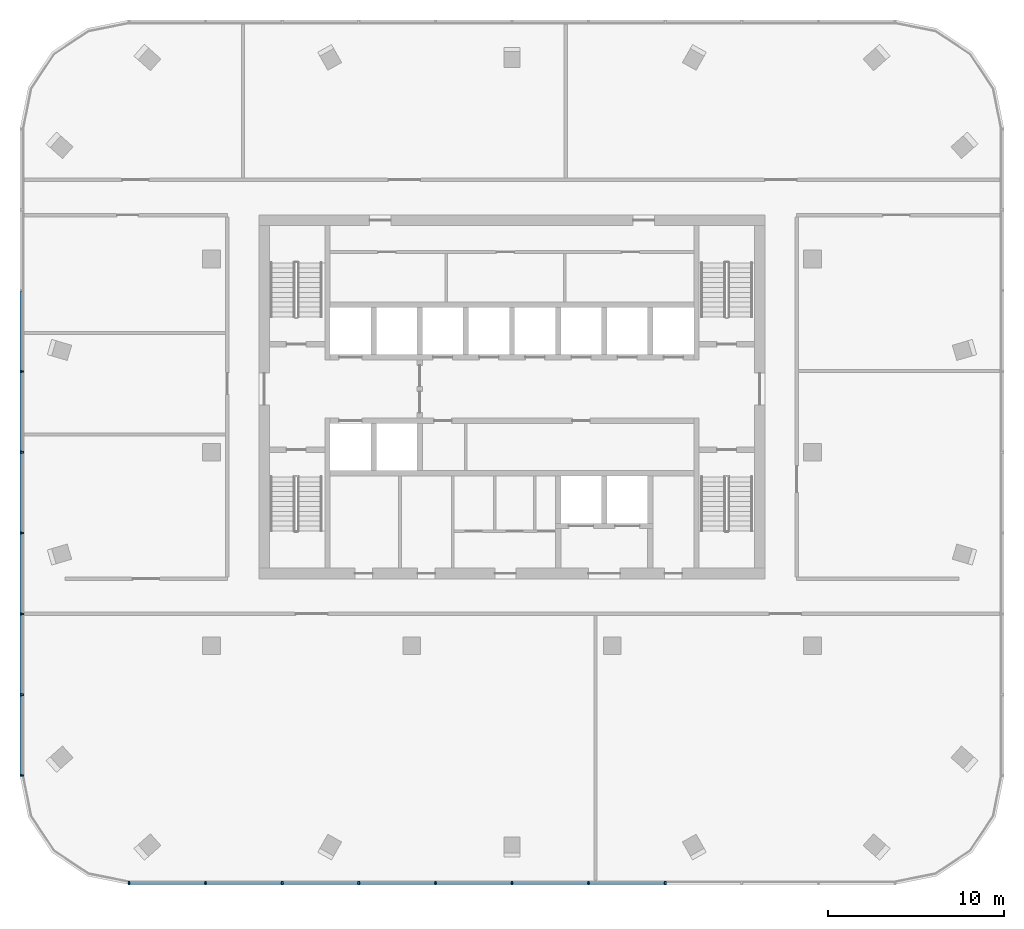
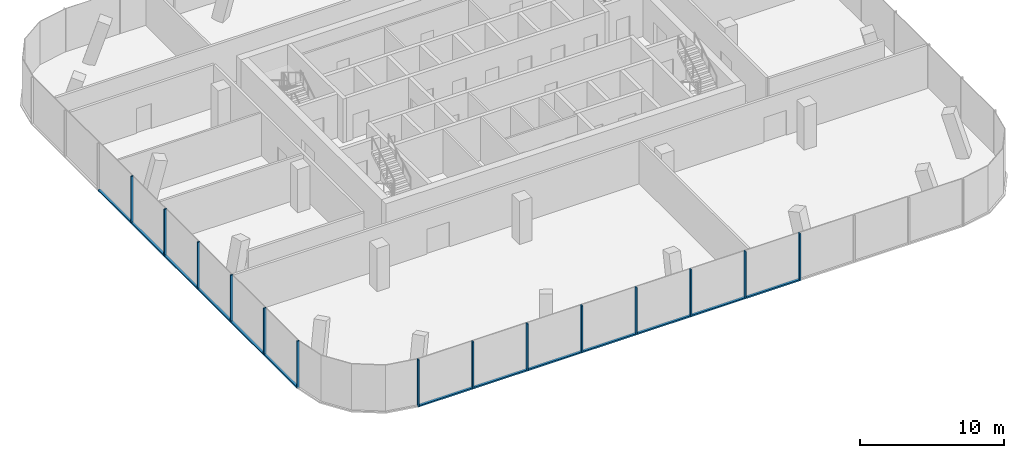
# One storey, part 2 of 10: 27 members, 2 elements without a shape of their own.
"""IFC4 building model written with IfcOpenShell, lengths in metres."""

from ifc_helpers import new_model, si_unit, direction, frame, origin, origin_2d, place, context, subcontext, project, spatial, rectangle, extrude, material, material_profile, profile_set, type_object, element, aggregate, save


model = new_model("IFC4")

# Units and contexts
model_context = context("Model", 3, precision=1e-05, world=origin(), true_north=direction((0.0, 1.0)))
body_context = subcontext(model_context, "Body", "Model", "MODEL_VIEW")
ifc_project = project(units=[si_unit("LENGTHUNIT", "METRE"), si_unit("AREAUNIT", "SQUARE_METRE"), si_unit("VOLUMEUNIT", "CUBIC_METRE"), si_unit("PLANEANGLEUNIT", "RADIAN"), si_unit("MASSUNIT", "GRAM", prefix="KILO")], contexts=[model_context])

# Site, building, storey
site_placement = place(None, origin())
site = spatial("IfcSite", under=ifc_project, at=site_placement, CompositionType="ELEMENT")
building_placement = place(site_placement, origin())
building = spatial("IfcBuilding", under=site, at=building_placement, Name="Mopane Tessera Tower", CompositionType="ELEMENT")
storey_placement = place(building_placement, frame((0.0, 0.0, 325.39990234375)))
storey = spatial("IfcBuildingStorey", under=building, at=storey_placement, Name="L71", CompositionType="ELEMENT", Elevation=325.39990234375)

# Curtain wall, members
ifc_material_1 = material(Name="Aluminium frame", Category="aluminium")
curtain_wall_type = type_object("IfcCurtainWallType", Name="Unitised curtain wall", PredefinedType="NOTDEFINED", material=ifc_material_1)
curtain_wall_1_placement = place(storey_placement, origin())
curtain_wall_1 = element("IfcCurtainWall", 1, at=curtain_wall_1_placement, inside=storey, type_object=curtain_wall_type, Name="e:cw:L71:S:0", PredefinedType="NOTDEFINED")
ifc_material_2 = material(Name="Aluminium frame", Category="aluminium")
ifc_material_profile_1 = material_profile(ifc_material_2, rectangle(XDim=0.10009765625, YDim=0.199951171875, at=origin_2d()))
ifc_profile_set_1 = profile_set([ifc_material_profile_1], Name="Aluminium frame")
member_type_1 = type_object("IfcMemberType", Name="Aluminium mullion 100 x 200", PredefinedType="MULLION", material=ifc_profile_set_1)
member_1_placement = place(storey_placement, frame((-21.800048828125, -24.5, -0.349853515625), z_axis=(0.0, 0.0, 1.0), x_axis=(1.0, 0.0, 0.0)))
member_1 = element("IfcMember", 2, at=member_1_placement, type_object=member_type_1, Name="e:cw:L71:S:0:mu0", PredefinedType="MULLION", context=body_context, shape_type="SweptSolid", body=[
    extrude(rectangle(XDim=0.10009765625, YDim=0.199951171875, at=origin_2d()), origin(), (0.0, 0.0, 1.0), 4.0),
])
member_2_placement = place(storey_placement, frame((-17.43994140625, -24.5, -0.349853515625), z_axis=(0.0, 0.0, 1.0), x_axis=(1.0, 0.0, 0.0)))
member_2 = element("IfcMember", 3, at=member_2_placement, type_object=member_type_1, Name="e:cw:L71:S:0:mu1", PredefinedType="MULLION", context=body_context, shape_type="SweptSolid", body=[
    extrude(rectangle(XDim=0.10009765625, YDim=0.199951171875, at=origin_2d()), origin(), (0.0, 0.0, 1.0), 4.0),
])
member_3_placement = place(storey_placement, frame((-13.080078125, -24.5, -0.349853515625), z_axis=(0.0, 0.0, 1.0), x_axis=(1.0, 0.0, 0.0)))
member_3 = element("IfcMember", 4, at=member_3_placement, type_object=member_type_1, Name="e:cw:L71:S:0:mu2", PredefinedType="MULLION", context=body_context, shape_type="SweptSolid", body=[
    extrude(rectangle(XDim=0.10009765625, YDim=0.199951171875, at=origin_2d()), origin(), (0.0, 0.0, 1.0), 4.0),
])
member_4_placement = place(storey_placement, frame((-8.719970703125, -24.5, -0.349853515625), z_axis=(0.0, 0.0, 1.0), x_axis=(1.0, 0.0, 0.0)))
member_4 = element("IfcMember", 5, at=member_4_placement, type_object=member_type_1, Name="e:cw:L71:S:0:mu3", PredefinedType="MULLION", context=body_context, shape_type="SweptSolid", body=[
    extrude(rectangle(XDim=0.10009765625, YDim=0.199951171875, at=origin_2d()), origin(), (0.0, 0.0, 1.0), 4.0),
])
member_5_placement = place(storey_placement, frame((-4.360107421875, -24.5, -0.349853515625), z_axis=(0.0, 0.0, 1.0), x_axis=(1.0, 0.0, 0.0)))
member_5 = element("IfcMember", 6, at=member_5_placement, type_object=member_type_1, Name="e:cw:L71:S:0:mu4", PredefinedType="MULLION", context=body_context, shape_type="SweptSolid", body=[
    extrude(rectangle(XDim=0.10009765625, YDim=0.199951171875, at=origin_2d()), origin(), (0.0, 0.0, 1.0), 4.0),
])
member_6_placement = place(storey_placement, frame((0.0, -24.5, -0.349853515625), z_axis=(0.0, 0.0, 1.0), x_axis=(1.0, 0.0, 0.0)))
member_6 = element("IfcMember", 7, at=member_6_placement, type_object=member_type_1, Name="e:cw:L71:S:0:mu5", PredefinedType="MULLION", context=body_context, shape_type="SweptSolid", body=[
    extrude(rectangle(XDim=0.10009765625, YDim=0.199951171875, at=origin_2d()), origin(), (0.0, 0.0, 1.0), 4.0),
])
member_7_placement = place(storey_placement, frame((4.360107421875, -24.5, -0.349853515625), z_axis=(0.0, 0.0, 1.0), x_axis=(1.0, 0.0, 0.0)))
member_7 = element("IfcMember", 8, at=member_7_placement, type_object=member_type_1, Name="e:cw:L71:S:0:mu6", PredefinedType="MULLION", context=body_context, shape_type="SweptSolid", body=[
    extrude(rectangle(XDim=0.10009765625, YDim=0.199951171875, at=origin_2d()), origin(), (0.0, 0.0, 1.0), 4.0),
])
member_8_placement = place(storey_placement, frame((8.719970703125, -24.5, -0.349853515625), z_axis=(0.0, 0.0, 1.0), x_axis=(1.0, 0.0, 0.0)))
member_8 = element("IfcMember", 9, at=member_8_placement, type_object=member_type_1, Name="e:cw:L71:S:0:mu7", PredefinedType="MULLION", context=body_context, shape_type="SweptSolid", body=[
    extrude(rectangle(XDim=0.10009765625, YDim=0.199951171875, at=origin_2d()), origin(), (0.0, 0.0, 1.0), 4.0),
])

curtain_wall_2_placement = place(storey_placement, origin())
curtain_wall_2 = element("IfcCurtainWall", 10, at=curtain_wall_2_placement, inside=storey, type_object=curtain_wall_type, Name="e:cw:L71:W:0", PredefinedType="NOTDEFINED")
member_9_placement = place(storey_placement, frame((-27.89990234375, 4.60009765625, -0.349853515625), z_axis=(0.0, 0.0, 1.0), x_axis=(0.0, -1.0, 0.0)))
member_9 = element("IfcMember", 11, at=member_9_placement, type_object=member_type_1, Name="e:cw:L71:W:0:mu3", PredefinedType="MULLION", context=body_context, shape_type="SweptSolid", body=[
    extrude(rectangle(XDim=0.10009765625, YDim=0.199951171875, at=origin_2d()), origin(), (0.0, 0.0, 1.0), 4.0),
])
member_10_placement = place(storey_placement, frame((-27.89990234375, 0.0, -0.349853515625), z_axis=(0.0, 0.0, 1.0), x_axis=(0.0, -1.0, 0.0)))
member_10 = element("IfcMember", 12, at=member_10_placement, type_object=member_type_1, Name="e:cw:L71:W:0:mu4", PredefinedType="MULLION", context=body_context, shape_type="SweptSolid", body=[
    extrude(rectangle(XDim=0.10009765625, YDim=0.199951171875, at=origin_2d()), origin(), (0.0, 0.0, 1.0), 4.0),
])
member_11_placement = place(storey_placement, frame((-27.89990234375, -4.60009765625, -0.349853515625), z_axis=(0.0, 0.0, 1.0), x_axis=(0.0, -1.0, 0.0)))
member_11 = element("IfcMember", 13, at=member_11_placement, type_object=member_type_1, Name="e:cw:L71:W:0:mu5", PredefinedType="MULLION", context=body_context, shape_type="SweptSolid", body=[
    extrude(rectangle(XDim=0.10009765625, YDim=0.199951171875, at=origin_2d()), origin(), (0.0, 0.0, 1.0), 4.0),
])
member_12_placement = place(storey_placement, frame((-27.89990234375, -9.199951171875, -0.349853515625), z_axis=(0.0, 0.0, 1.0), x_axis=(0.0, -1.0, 0.0)))
member_12 = element("IfcMember", 14, at=member_12_placement, type_object=member_type_1, Name="e:cw:L71:W:0:mu6", PredefinedType="MULLION", context=body_context, shape_type="SweptSolid", body=[
    extrude(rectangle(XDim=0.10009765625, YDim=0.199951171875, at=origin_2d()), origin(), (0.0, 0.0, 1.0), 4.0),
])
member_13_placement = place(storey_placement, frame((-27.89990234375, -13.800048828125, -0.349853515625), z_axis=(0.0, 0.0, 1.0), x_axis=(0.0, -1.0, 0.0)))
member_13 = element("IfcMember", 15, at=member_13_placement, type_object=member_type_1, Name="e:cw:L71:W:0:mu7", PredefinedType="MULLION", context=body_context, shape_type="SweptSolid", body=[
    extrude(rectangle(XDim=0.10009765625, YDim=0.199951171875, at=origin_2d()), origin(), (0.0, 0.0, 1.0), 4.0),
])
member_14_placement = place(storey_placement, frame((-27.89990234375, -18.39990234375, -0.349853515625), z_axis=(0.0, 0.0, 1.0), x_axis=(0.0, -1.0, 0.0)))
member_14 = element("IfcMember", 16, at=member_14_placement, type_object=member_type_1, Name="e:cw:L71:W:0:mu8", PredefinedType="MULLION", context=body_context, shape_type="SweptSolid", body=[
    extrude(rectangle(XDim=0.10009765625, YDim=0.199951171875, at=origin_2d()), origin(), (0.0, 0.0, 1.0), 4.0),
])

# Member
ifc_material_3 = material(Name="Aluminium frame", Category="aluminium")
ifc_material_profile_2 = material_profile(ifc_material_3, rectangle(XDim=0.199951171875, YDim=0.1201171875, at=origin_2d()))
ifc_profile_set_2 = profile_set([ifc_material_profile_2], Name="Aluminium frame")
member_type_2 = type_object("IfcMemberType", Name="Aluminium transom 200 x 120", PredefinedType="USERDEFINED", material=ifc_profile_set_2)
member_15_placement = place(storey_placement, frame((-21.75, -24.5, -0.289794921875), z_axis=(1.0, 0.0, 0.0), x_axis=(0.0, 1.0, 0.0)))
member_15 = element("IfcMember", 17, at=member_15_placement, type_object=member_type_2, Name="e:cw:L71:S:0:tr0", ObjectType="TRANSOM", PredefinedType="USERDEFINED", context=body_context, shape_type="SweptSolid", body=[
    extrude(rectangle(XDim=0.199951171875, YDim=0.1201171875, at=origin_2d()), origin(), (0.0, 0.0, 1.0), 4.260009765625),
])

member_16_placement = place(storey_placement, frame((-17.389892578125, -24.5, -0.289794921875), z_axis=(1.0, 0.0, 0.0), x_axis=(0.0, 1.0, 0.0)))
member_16 = element("IfcMember", 18, at=member_16_placement, type_object=member_type_2, Name="e:cw:L71:S:0:tr1", ObjectType="TRANSOM", PredefinedType="USERDEFINED", context=body_context, shape_type="SweptSolid", body=[
    extrude(rectangle(XDim=0.199951171875, YDim=0.1201171875, at=origin_2d()), origin(), (0.0, 0.0, 1.0), 4.260009765625),
])

member_17_placement = place(storey_placement, frame((-13.030029296875, -24.5, -0.289794921875), z_axis=(1.0, 0.0, 0.0), x_axis=(0.0, 1.0, 0.0)))
member_17 = element("IfcMember", 19, at=member_17_placement, type_object=member_type_2, Name="e:cw:L71:S:0:tr2", ObjectType="TRANSOM", PredefinedType="USERDEFINED", context=body_context, shape_type="SweptSolid", body=[
    extrude(rectangle(XDim=0.199951171875, YDim=0.1201171875, at=origin_2d()), origin(), (0.0, 0.0, 1.0), 4.260009765625),
])

member_18_placement = place(storey_placement, frame((-8.669921875, -24.5, -0.289794921875), z_axis=(1.0, 0.0, 0.0), x_axis=(0.0, 1.0, 0.0)))
member_18 = element("IfcMember", 20, at=member_18_placement, type_object=member_type_2, Name="e:cw:L71:S:0:tr3", ObjectType="TRANSOM", PredefinedType="USERDEFINED", context=body_context, shape_type="SweptSolid", body=[
    extrude(rectangle(XDim=0.199951171875, YDim=0.1201171875, at=origin_2d()), origin(), (0.0, 0.0, 1.0), 4.260009765625),
])

member_19_placement = place(storey_placement, frame((-4.31005859375, -24.5, -0.289794921875), z_axis=(1.0, 0.0, 0.0), x_axis=(0.0, 1.0, 0.0)))
member_19 = element("IfcMember", 21, at=member_19_placement, type_object=member_type_2, Name="e:cw:L71:S:0:tr4", ObjectType="TRANSOM", PredefinedType="USERDEFINED", context=body_context, shape_type="SweptSolid", body=[
    extrude(rectangle(XDim=0.199951171875, YDim=0.1201171875, at=origin_2d()), origin(), (0.0, 0.0, 1.0), 4.260009765625),
])

member_20_placement = place(storey_placement, frame((0.050048828125, -24.5, -0.289794921875), z_axis=(1.0, 0.0, 0.0), x_axis=(0.0, 1.0, 0.0)))
member_20 = element("IfcMember", 22, at=member_20_placement, type_object=member_type_2, Name="e:cw:L71:S:0:tr5", ObjectType="TRANSOM", PredefinedType="USERDEFINED", context=body_context, shape_type="SweptSolid", body=[
    extrude(rectangle(XDim=0.199951171875, YDim=0.1201171875, at=origin_2d()), origin(), (0.0, 0.0, 1.0), 4.260009765625),
])

member_21_placement = place(storey_placement, frame((4.409912109375, -24.5, -0.289794921875), z_axis=(1.0, 0.0, 0.0), x_axis=(0.0, 1.0, 0.0)))
member_21 = element("IfcMember", 23, at=member_21_placement, type_object=member_type_2, Name="e:cw:L71:S:0:tr6", ObjectType="TRANSOM", PredefinedType="USERDEFINED", context=body_context, shape_type="SweptSolid", body=[
    extrude(rectangle(XDim=0.199951171875, YDim=0.1201171875, at=origin_2d()), origin(), (0.0, 0.0, 1.0), 4.260009765625),
])

aggregate(curtain_wall_1, [member_1, member_2, member_3, member_4, member_5, member_6, member_7, member_8, member_15, member_16, member_17, member_18, member_19, member_20, member_21])

member_22_placement = place(storey_placement, frame((-27.89990234375, 9.14990234375, -0.289794921875), z_axis=(0.0, -1.0, 0.0), x_axis=(1.0, 0.0, 0.0)))
member_22 = element("IfcMember", 24, at=member_22_placement, type_object=member_type_2, Name="e:cw:L71:W:0:tr2", ObjectType="TRANSOM", PredefinedType="USERDEFINED", context=body_context, shape_type="SweptSolid", body=[
    extrude(rectangle(XDim=0.199951171875, YDim=0.1201171875, at=origin_2d()), origin(), (0.0, 0.0, 1.0), 4.5),
])

member_23_placement = place(storey_placement, frame((-27.89990234375, 4.550048828125, -0.289794921875), z_axis=(0.0, -1.0, 0.0), x_axis=(1.0, 0.0, 0.0)))
member_23 = element("IfcMember", 25, at=member_23_placement, type_object=member_type_2, Name="e:cw:L71:W:0:tr3", ObjectType="TRANSOM", PredefinedType="USERDEFINED", context=body_context, shape_type="SweptSolid", body=[
    extrude(rectangle(XDim=0.199951171875, YDim=0.1201171875, at=origin_2d()), origin(), (0.0, 0.0, 1.0), 4.5),
])

member_24_placement = place(storey_placement, frame((-27.89990234375, -0.050048828125, -0.289794921875), z_axis=(0.0, -1.0, 0.0), x_axis=(1.0, 0.0, 0.0)))
member_24 = element("IfcMember", 26, at=member_24_placement, type_object=member_type_2, Name="e:cw:L71:W:0:tr4", ObjectType="TRANSOM", PredefinedType="USERDEFINED", context=body_context, shape_type="SweptSolid", body=[
    extrude(rectangle(XDim=0.199951171875, YDim=0.1201171875, at=origin_2d()), origin(), (0.0, 0.0, 1.0), 4.5),
])

member_25_placement = place(storey_placement, frame((-27.89990234375, -4.64990234375, -0.289794921875), z_axis=(0.0, -1.0, 0.0), x_axis=(1.0, 0.0, 0.0)))
member_25 = element("IfcMember", 27, at=member_25_placement, type_object=member_type_2, Name="e:cw:L71:W:0:tr5", ObjectType="TRANSOM", PredefinedType="USERDEFINED", context=body_context, shape_type="SweptSolid", body=[
    extrude(rectangle(XDim=0.199951171875, YDim=0.1201171875, at=origin_2d()), origin(), (0.0, 0.0, 1.0), 4.5),
])

member_26_placement = place(storey_placement, frame((-27.89990234375, -9.25, -0.289794921875), z_axis=(0.0, -1.0, 0.0), x_axis=(1.0, 0.0, 0.0)))
member_26 = element("IfcMember", 28, at=member_26_placement, type_object=member_type_2, Name="e:cw:L71:W:0:tr6", ObjectType="TRANSOM", PredefinedType="USERDEFINED", context=body_context, shape_type="SweptSolid", body=[
    extrude(rectangle(XDim=0.199951171875, YDim=0.1201171875, at=origin_2d()), origin(), (0.0, 0.0, 1.0), 4.5),
])

member_27_placement = place(storey_placement, frame((-27.89990234375, -13.85009765625, -0.289794921875), z_axis=(0.0, -1.0, 0.0), x_axis=(1.0, 0.0, 0.0)))
member_27 = element("IfcMember", 29, at=member_27_placement, type_object=member_type_2, Name="e:cw:L71:W:0:tr7", ObjectType="TRANSOM", PredefinedType="USERDEFINED", context=body_context, shape_type="SweptSolid", body=[
    extrude(rectangle(XDim=0.199951171875, YDim=0.1201171875, at=origin_2d()), origin(), (0.0, 0.0, 1.0), 4.5),
])

aggregate(curtain_wall_2, [member_9, member_10, member_11, member_12, member_13, member_14, member_22, member_23, member_24, member_25, member_26, member_27])

save(model, "model.ifc")
